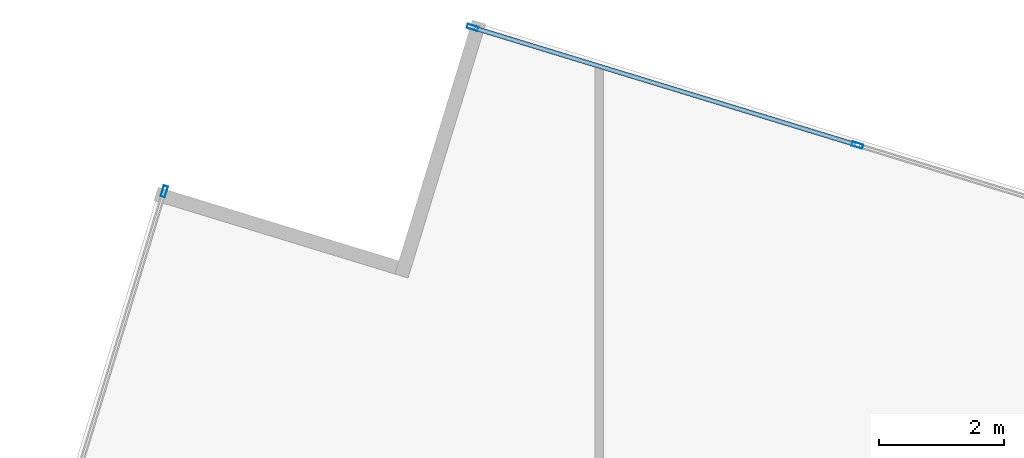
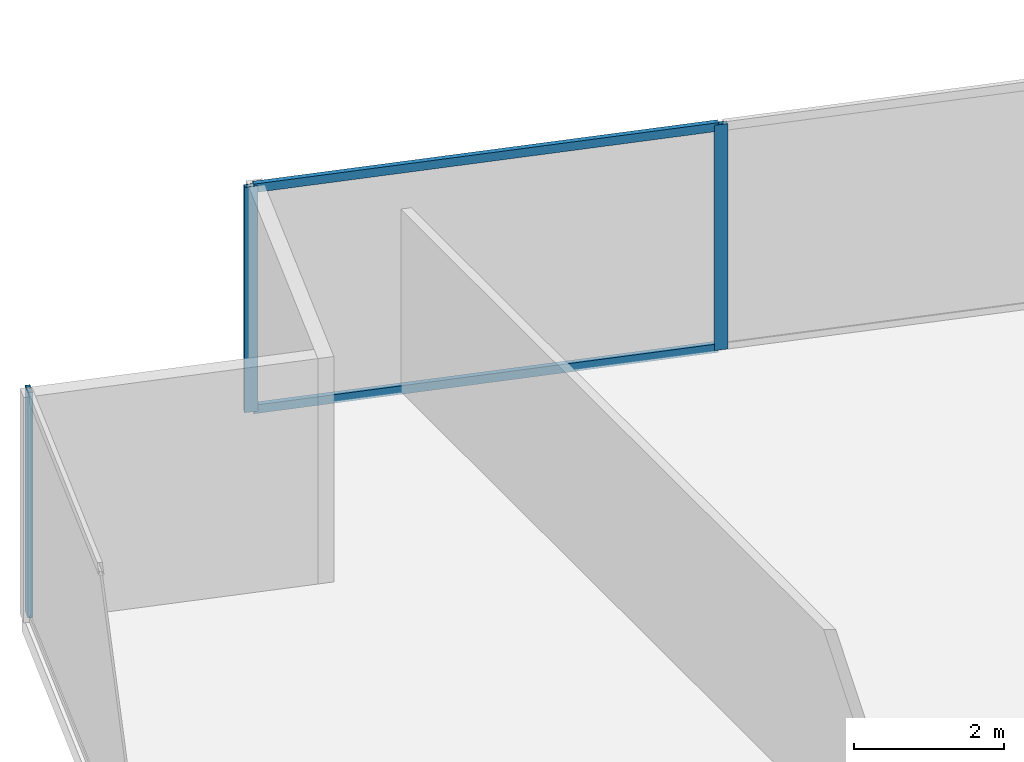
# One storey, part 16 of 26: 5 members, 2 elements without a shape of their own.
"""IFC4 building model written with IfcOpenShell, lengths in metres."""

from ifc_helpers import new_model, si_unit, direction, frame, origin, origin_2d, place, context, subcontext, project, spatial, hollow_rectangle, extrude, source, transform, mapped, material, material_profile, profile_set, type_object, type_shapes, element, aggregate, save


model = new_model("IFC4")

# Units and contexts
model_context = context("Model", 3, precision=1e-05, world=origin(), true_north=direction((0.0, 1.0)))
body_context = subcontext(model_context, "Body", "Model", "MODEL_VIEW")
ifc_project = project(units=[si_unit("LENGTHUNIT", "METRE"), si_unit("AREAUNIT", "SQUARE_METRE"), si_unit("VOLUMEUNIT", "CUBIC_METRE"), si_unit("PLANEANGLEUNIT", "RADIAN"), si_unit("MASSUNIT", "GRAM", prefix="KILO")], contexts=[model_context])

# Site, building, storey
site_placement = place(None, origin())
site = spatial("IfcSite", under=ifc_project, at=site_placement, CompositionType="ELEMENT")
building_placement = place(site_placement, origin())
building = spatial("IfcBuilding", under=site, at=building_placement, Name="Krantzveldt Concourse Tower", CompositionType="ELEMENT")
storey_placement = place(building_placement, frame((0.0, 0.0, 113.75)))
storey = spatial("IfcBuildingStorey", under=building, at=storey_placement, Name="L27", CompositionType="ELEMENT", Elevation=113.75)

# Curtain wall, member
ifc_material = material(Name="Anodised aluminium 6063-T6", Category="aluminium")
curtain_wall_type = type_object("IfcCurtainWallType", Name="CW2", PredefinedType="USERDEFINED", material=ifc_material)
curtain_wall_1_placement = place(storey_placement, origin())
curtain_wall_1 = element("IfcCurtainWall", 1, at=curtain_wall_1_placement, inside=storey, type_object=curtain_wall_type, Name="CW-L27-F01", ObjectType="UNITISED CURTAIN WALL", PredefinedType="USERDEFINED")
ifc_material_profile_1 = material_profile(ifc_material, hollow_rectangle(XDim=0.070068359375, YDim=0.179931640625, WallThickness=0.0048828125, at=origin_2d()), Name="Anodised aluminium 6063-T6", Category="aluminium")
ifc_profile_set_1 = profile_set([ifc_material_profile_1], Name="Anodised aluminium 6063-T6 - ALU-MULL 180x70x5")
member_type_1 = type_object("IfcMemberType", Name="CW-MUL-180", PredefinedType="MULLION", material=ifc_profile_set_1)
shared_shape_1 = source(origin(), body_context, "Body", "SweptSolid", [
    extrude(hollow_rectangle(XDim=0.070068359375, YDim=0.179931640625, WallThickness=0.0048828125, at=origin_2d()), origin(), (0.0, 0.0, 1.0), 3.669921875),
])
type_shapes(member_type_1, [shared_shape_1])
member_1_placement = place(storey_placement, frame((19.370361328125, 52.033935546875, 0.0), z_axis=(0.0, 0.0, 1.0), x_axis=(0.956304761423, -0.292371686864, 0.0)))
member_1 = element("IfcMember", 2, at=member_1_placement, type_object=member_type_1, Name="CW-Z12 mullion 1", PredefinedType="MULLION", context=body_context, shape_type="MappedRepresentation", body=[
    mapped(shared_shape_1, transform((0.0, 0.0, 0.0), x_axis=(1.0, 0.0, 0.0), y_axis=(0.0, 1.0, 0.0), z_axis=(0.0, 0.0, 1.0), scale=1.0)),
])
aggregate(curtain_wall_1, [member_1])

# Curtain wall, members
curtain_wall_2_placement = place(storey_placement, origin())
curtain_wall_2 = element("IfcCurtainWall", 3, at=curtain_wall_2_placement, inside=storey, type_object=curtain_wall_type, Name="CW-L27-F10", ObjectType="UNITISED CURTAIN WALL", PredefinedType="USERDEFINED")
member_2_placement = place(storey_placement, frame((30.447021484375, 52.772705078125, 0.0), z_axis=(0.0, 0.0, 1.0), x_axis=(-0.292371686864, -0.956304761423, 0.0)))
member_2 = element("IfcMember", 4, at=member_2_placement, type_object=member_type_1, Name="CW-Z12 mullion 6", PredefinedType="MULLION", context=body_context, shape_type="MappedRepresentation", body=[
    mapped(shared_shape_1, transform((0.0, 0.0, 0.0), x_axis=(1.0, 0.0, 0.0), y_axis=(0.0, 1.0, 0.0), z_axis=(0.0, 0.0, 1.0), scale=1.0)),
])
member_3_placement = place(storey_placement, frame((24.29638671875, 54.6533203125, 0.0), z_axis=(0.0, 0.0, 1.0), x_axis=(-0.292371686864, -0.956304761423, 0.0)))
member_3 = element("IfcMember", 5, at=member_3_placement, type_object=member_type_1, Name="CW-Z12 mullion 7", PredefinedType="MULLION", context=body_context, shape_type="MappedRepresentation", body=[
    mapped(shared_shape_1, transform((0.0, 0.0, 0.0), x_axis=(1.0, 0.0, 0.0), y_axis=(0.0, 1.0, 0.0), z_axis=(0.0, 0.0, 1.0), scale=1.0)),
])
ifc_material_profile_2 = material_profile(ifc_material, hollow_rectangle(XDim=0.070068359375, YDim=0.139892578125, WallThickness=0.0048828125, at=origin_2d()), Name="Anodised aluminium 6063-T6", Category="aluminium")
ifc_profile_set_2 = profile_set([ifc_material_profile_2], Name="Anodised aluminium 6063-T6 - ALU-TRAN 140x70x5")
member_type_2 = type_object("IfcMemberType", Name="CW-TRN-150", PredefinedType="USERDEFINED", material=ifc_profile_set_2)
shared_shape_2 = source(origin(), body_context, "Body", "SweptSolid", [
    extrude(hollow_rectangle(XDim=0.070068359375, YDim=0.139892578125, WallThickness=0.0048828125, at=origin_2d()), origin(), (0.0, 0.0, 1.0), 6.36181640625),
])
type_shapes(member_type_2, [shared_shape_2])
member_4_placement = place(storey_placement, frame((30.41357421875, 52.782958984375, 0.034912109375), z_axis=(-0.956299421457, 0.292389152537, 0.0), x_axis=(-0.292389152537, -0.956299421457, 0.0)))
member_4 = element("IfcMember", 6, at=member_4_placement, type_object=member_type_2, Name="CW-Z12 transom 6.1", ObjectType="TRANSOM", PredefinedType="USERDEFINED", context=body_context, shape_type="MappedRepresentation", body=[
    mapped(shared_shape_2, transform((0.0, 0.0, 0.0), x_axis=(1.0, 0.0, 0.0), y_axis=(0.0, 1.0, 0.0), z_axis=(0.0, 0.0, 1.0), scale=1.0)),
])
member_5_placement = place(storey_placement, frame((30.41357421875, 52.782958984375, 3.635009765625), z_axis=(-0.956299421457, 0.292389152537, 0.0), x_axis=(-0.292389152537, -0.956299421457, 0.0)))
member_5 = element("IfcMember", 7, at=member_5_placement, type_object=member_type_2, Name="CW-Z12 transom 6.2", ObjectType="TRANSOM", PredefinedType="USERDEFINED", context=body_context, shape_type="MappedRepresentation", body=[
    mapped(shared_shape_2, transform((0.0, 0.0, 0.0), x_axis=(1.0, 0.0, 0.0), y_axis=(0.0, 1.0, 0.0), z_axis=(0.0, 0.0, 1.0), scale=1.0)),
])
aggregate(curtain_wall_2, [member_2, member_3, member_4, member_5])

save(model, "model.ifc")
